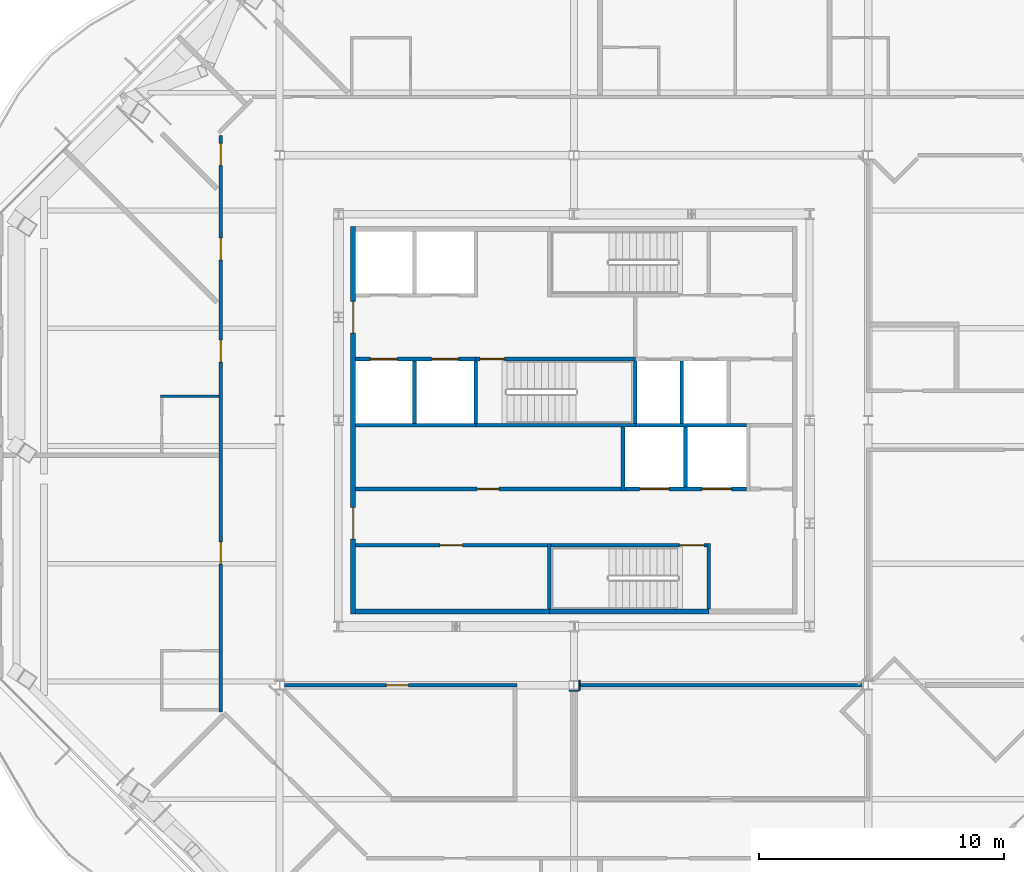
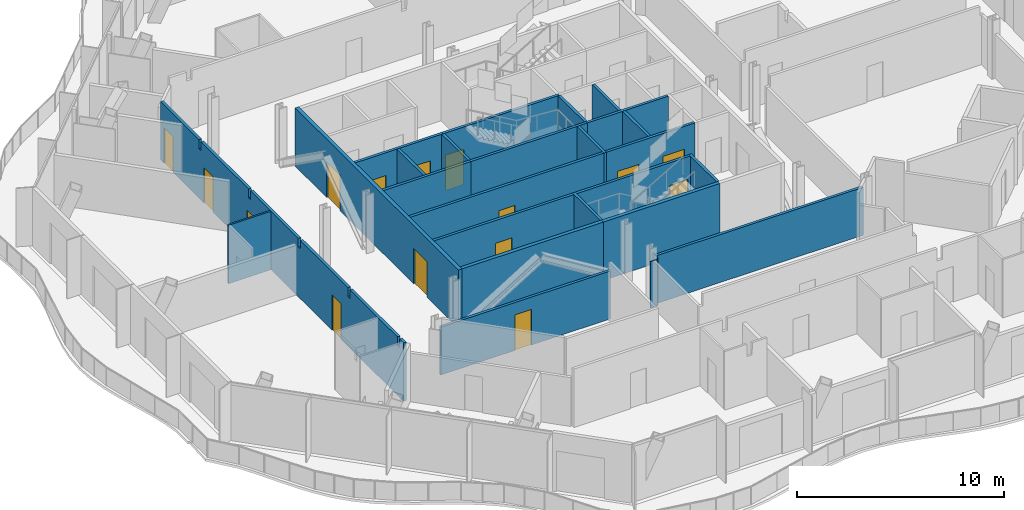
# One storey, part 8 of 19: 26 walls, 15 doors, 15 openings.
"""IFC4 building model written with IfcOpenShell, lengths in metres."""

import ifcopenshell
import ifcopenshell.guid

model = None  # the IFC model being written
_history = None  # IfcOwnerHistory: only IFC2X3 demands one
_inside = {}  # id of a spatial element -> (the spatial element, [elements in it])
_under = {}  # id of a project, library or spatial element -> (it, [spatial elements below it])
_declared = {}  # id of a project -> (the project, [libraries it declares])
_typed = {}  # id of a type object -> (the type object, [elements of that type])
_made_of = {}  # id of a material, layer set ... -> (it, [elements and type objects made of it])


def new_model(schema):
    """Start an empty IFC model of exactly this schema.

    Asked for "IFC4X3", IfcOpenShell would pick the latest addendum, in which some entities
    have other attributes; the version numbers below select the first issue.
    IFC2X3 requires an IfcOwnerHistory on every rooted entity: one is made here for all.
    """
    global model, _history
    if schema == "IFC4X3":
        model = ifcopenshell.file(schema_version=(4, 3, 0, 0))
    else:
        model = ifcopenshell.file(schema=schema)
    _inside.clear()
    _under.clear()
    _declared.clear()
    _typed.clear()
    _made_of.clear()
    _history = None
    if model.schema == "IFC2X3":
        org = make("IfcOrganization", Name="unknown")
        user = make(
            "IfcPersonAndOrganization",
            ThePerson=make("IfcPerson", FamilyName="unknown"),
            TheOrganization=org,
        )
        app = make(
            "IfcApplication",
            ApplicationDeveloper=org,
            Version="unknown",
            ApplicationFullName="unknown",
            ApplicationIdentifier="unknown",
        )
        _history = make(
            "IfcOwnerHistory",
            OwningUser=user,
            OwningApplication=app,
            ChangeAction="ADDED",
            CreationDate=0,
        )
    return model


def make(cls, **values):
    """One entity of the class cls with the attributes given. An attribute that is None is left unset."""
    return model.create_entity(
        cls, **{name: value for name, value in values.items() if value is not None}
    )


def rooted(cls, **values):
    """An entity with a GlobalId (a new one), such as an element, a storey or a relation."""
    return make(cls, GlobalId=ifcopenshell.guid.new(), OwnerHistory=_history, **values)


def si_unit(unit_type, name, prefix=None):
    """IfcSIUnit, for example si_unit("LENGTHUNIT", "METRE", prefix="MILLI")."""
    return make("IfcSIUnit", UnitType=unit_type, Prefix=prefix, Name=name)


def assignment(units):
    """IfcUnitAssignment: the units of a project."""
    return None if units is None else make("IfcUnitAssignment", Units=units)


def point(xyz):
    """IfcCartesianPoint."""
    return None if xyz is None else make("IfcCartesianPoint", Coordinates=xyz)


def direction(xyz):
    """IfcDirection."""
    return None if xyz is None else make("IfcDirection", DirectionRatios=xyz)


def frame(location, z_axis=None, x_axis=None):
    """IfcAxis2Placement3D, a coordinate frame: its origin and axes. An axis left out is left unset."""
    return make(
        "IfcAxis2Placement3D",
        Location=point(location),
        Axis=direction(z_axis),
        RefDirection=direction(x_axis),
    )


def frame_2d(location, x_axis=None):
    """IfcAxis2Placement2D, a coordinate frame in the plane: its origin and x axis."""
    return make(
        "IfcAxis2Placement2D", Location=point(location), RefDirection=direction(x_axis)
    )


def origin():
    """The frame at (0, 0, 0) with its axes left unset."""
    return frame((0.0, 0.0, 0.0))


def place(relative_to, where):
    """IfcLocalPlacement: puts the frame where relative to a parent placement (None: the world)."""
    return make(
        "IfcLocalPlacement", PlacementRelTo=relative_to, RelativePlacement=where
    )


def context(
    kind, dimensions, precision=None, world=None, true_north=None, identifier=None
):
    """IfcGeometricRepresentationContext, for example the 3D "Model" context."""
    return make(
        "IfcGeometricRepresentationContext",
        ContextIdentifier=identifier,
        ContextType=kind,
        CoordinateSpaceDimension=dimensions,
        Precision=precision,
        WorldCoordinateSystem=world,
        TrueNorth=true_north,
    )


def subcontext(parent, identifier, kind, view, scale=None):
    """IfcGeometricRepresentationSubContext, for example "Body" below "Model"."""
    return make(
        "IfcGeometricRepresentationSubContext",
        ContextIdentifier=identifier,
        ContextType=kind,
        ParentContext=parent,
        TargetScale=scale,
        TargetView=view,
    )


def project(units=None, contexts=None):
    """IfcProject with its units and contexts."""
    return rooted(
        "IfcProject",
        Name="project",
        RepresentationContexts=contexts,
        UnitsInContext=assignment(units),
    )


def spatial(cls, under=None, at=None, **own):
    """A site, building, storey or space (cls), placed at a placement, below another one or the project."""
    s = rooted(cls, ObjectPlacement=at, **own)
    if under is not None:
        _under.setdefault(under.id(), (under, []))[1].append(s)
    return s


def polyline(points):
    """IfcPolyline through the points."""
    return make("IfcPolyline", Points=[point(p) for p in points])


def profile(cls, at=None, kind="AREA", **sizes):
    """A parametric profile (cls). Its sizes go by their IFC names, for example OverallWidth=200.0."""
    return make(cls, ProfileType=kind, Position=at, **sizes)


def rectangle(**sizes):
    """IfcRectangleProfileDef."""
    return profile("IfcRectangleProfileDef", **sizes)


def outline(outer, holes=None, kind="AREA"):
    """IfcArbitraryClosedProfileDef: a profile drawn as a closed curve; with holes, ...WithVoids."""
    if holes is None:
        return make("IfcArbitraryClosedProfileDef", ProfileType=kind, OuterCurve=outer)
    return make(
        "IfcArbitraryProfileDefWithVoids",
        ProfileType=kind,
        OuterCurve=outer,
        InnerCurves=holes,
    )


def extrude(swept, where, along, depth):
    """IfcExtrudedAreaSolid: the profile swept, set in the frame where, extruded along a direction by depth."""
    return make(
        "IfcExtrudedAreaSolid",
        SweptArea=swept,
        Position=where,
        ExtrudedDirection=direction(along),
        Depth=depth,
    )


def shape(context_of_items, identifier, shape_type, items):
    """IfcShapeRepresentation: the items that make up one representation, for example the "Body"."""
    return make(
        "IfcShapeRepresentation",
        ContextOfItems=context_of_items,
        RepresentationIdentifier=identifier,
        RepresentationType=shape_type,
        Items=items,
    )


def material(Name=None, Category=None):
    """IfcMaterial."""
    return make("IfcMaterial", Name=Name, Category=Category)


def layer(
    of_material, thickness, ventilated=None, Name=None, Category=None, Priority=None
):
    """IfcMaterialLayer: one layer of a wall or slab, of a material (None: an air gap)."""
    return make(
        "IfcMaterialLayer",
        Material=of_material,
        LayerThickness=thickness,
        IsVentilated=ventilated,
        Name=Name,
        Category=Category,
        Priority=Priority,
    )


def layer_set(layers, Name=None):
    """IfcMaterialLayerSet."""
    return make("IfcMaterialLayerSet", MaterialLayers=layers, LayerSetName=Name)


def made_of(thing, what):
    """Note that an element or type object is made of a material, layer set ...; save() writes the relation."""
    if what is not None:
        _made_of.setdefault(what.id(), (what, []))[1].append(thing)
    return thing


def type_object(cls, material=None, **own):
    """A type object (cls), such as IfcWallType, which elements share."""
    return made_of(rooted(cls, **own), material)


def element(
    cls,
    number,
    at=None,
    inside=None,
    cuts=None,
    type_object=None,
    material=None,
    context=None,
    identifier="Body",
    shape_type=None,
    held_by="IfcProductDefinitionShape",
    body=None,
    shapes=None,
    **own,
):
    """One element of the class cls, such as IfcWall. Its Tag is "e" and its number.

    at: its placement. inside: the storey or other place that contains it. cuts: it is an
    opening in that element (IfcRelVoidsElement). A single representation is given by context,
    identifier, shape_type and body (its items); several are given by shapes. held_by: the class
    of the entity that holds the representations. save() writes the other relations.
    """
    e = rooted(cls, Tag="e%d" % number, ObjectPlacement=at, **own)
    if body is not None:
        shapes = [shape(context, identifier, shape_type, body)]
    if shapes is not None:
        e.Representation = make(held_by, Representations=shapes)
    if inside is not None:
        _inside.setdefault(inside.id(), (inside, []))[1].append(e)
    if cuts is not None:
        rooted(
            "IfcRelVoidsElement", RelatingBuildingElement=cuts, RelatedOpeningElement=e
        )
    if type_object is not None:
        _typed.setdefault(type_object.id(), (type_object, []))[1].append(e)
    return made_of(e, material)


def fill(opening, filler):
    """IfcRelFillsElement: the door or window that sits in an opening."""
    return rooted(
        "IfcRelFillsElement",
        RelatingOpeningElement=opening,
        RelatedBuildingElement=filler,
    )


def aggregate(whole, parts):
    """IfcRelAggregates: a whole, such as a stair, and the parts it consists of."""
    return rooted("IfcRelAggregates", RelatingObject=whole, RelatedObjects=parts)


def save(model, path):
    """Write the relations noted so far, then the file.

    IfcRelAggregates (storeys below a building ...), IfcRelContainedInSpatialStructure (elements
    in a storey), IfcRelDefinesByType, IfcRelAssociatesMaterial and IfcRelDeclares: one each for
    every whole, place, type object, material and project.
    """
    for whole, parts in _under.values():
        aggregate(whole, parts)
    for where, things in _inside.values():
        rooted(
            "IfcRelContainedInSpatialStructure",
            RelatedElements=things,
            RelatingStructure=where,
        )
    for kind, things in _typed.values():
        rooted("IfcRelDefinesByType", RelatedObjects=things, RelatingType=kind)
    for what, things in _made_of.values():
        rooted("IfcRelAssociatesMaterial", RelatedObjects=things, RelatingMaterial=what)
    for by, libraries in _declared.values():
        rooted("IfcRelDeclares", RelatingContext=by, RelatedDefinitions=libraries)
    model.write(path)


model = new_model("IFC4")

# Units and contexts
model_context = context("Model", 3, precision=1e-05, world=origin(), true_north=direction((0.0, 1.0)))
body_context = subcontext(model_context, "Body", "Model", "MODEL_VIEW")
ifc_project = project(units=[si_unit("LENGTHUNIT", "METRE"), si_unit("AREAUNIT", "SQUARE_METRE"), si_unit("VOLUMEUNIT", "CUBIC_METRE"), si_unit("PLANEANGLEUNIT", "RADIAN"), si_unit("MASSUNIT", "GRAM", prefix="KILO")], contexts=[model_context])

# Site, building, storey
site_placement = place(None, origin())
site = spatial("IfcSite", under=ifc_project, at=site_placement, CompositionType="ELEMENT")
building_placement = place(site_placement, origin())
building = spatial("IfcBuilding", under=site, at=building_placement, Name="Cairn Pilgrim Tower", CompositionType="ELEMENT")
storey_placement = place(building_placement, frame((0.0, 0.0, 190.199951171875)))
storey = spatial("IfcBuildingStorey", under=building, at=storey_placement, Name="L48", CompositionType="ELEMENT", Elevation=190.199951171875)

# Wall
ifc_material_1 = material(Name="Concrete C32/40", Category="concrete")
ifc_layer_1 = layer(ifc_material_1, 0.199951171875)
ifc_layer_set_1 = layer_set([ifc_layer_1], Name="CORE OUTER WALL 200 EI 120")
wall_type_1 = type_object("IfcWallType", Name="CORE OUTER WALL 200 EI 120", PredefinedType="SOLIDWALL", material=ifc_layer_set_1)
wall_1_placement = place(storey_placement, frame((-1.699951171875, -5.39990234375, 0.0), z_axis=(0.0, 0.0, 1.0), x_axis=(1.0, 0.0, 0.0)))
element("IfcWall", 1, at=wall_1_placement, inside=storey, type_object=wall_type_1, Name="CW:L48:H01-1", PredefinedType="SOLIDWALL", context=body_context, shape_type="SweptSolid", body=[
    extrude(rectangle(XDim=7.89990234375, YDim=0.199951171875, at=frame_2d((3.949951171875, 0.0))), origin(), (0.0, 0.0, 1.0), 3.449951171875),
])

# Wall, openings, doors
wall_2_placement = place(storey_placement, frame((-1.800048828125, -5.5, 0.0), z_axis=(0.0, 0.0, 1.0), x_axis=(0.0, 1.0, 0.0)))
wall_2 = element("IfcWall", 2, at=wall_2_placement, inside=storey, type_object=wall_type_1, Name="CW:L48:V13", PredefinedType="SOLIDWALL", context=body_context, shape_type="SweptSolid", body=[
    extrude(rectangle(XDim=15.800048828125, YDim=0.199951171875, at=frame_2d((7.89990234375, 0.0))), origin(), (0.0, 0.0, 1.0), 3.449951171875),
])
opening_1_placement = place(wall_2_placement, frame((3.050048828125, 0.0, 0.0)))
opening_1 = element("IfcOpeningElement", 3, at=opening_1_placement, cuts=wall_2, Name="Opening CD-W1", PredefinedType="OPENING", context=body_context, shape_type="SweptSolid", body=[
    extrude(rectangle(XDim=1.300048828125, YDim=2.10009765625, at=frame_2d((0.64990234375, 1.050048828125))), frame((0.0, 0.10986328125, 0.0), z_axis=(0.0, -1.0, 0.0), x_axis=(1.0, 0.0, 0.0)), (0.0, 0.0, 1.0), 0.219970703125),
])
opening_2_placement = place(wall_2_placement, frame((11.449951171875, 0.0, 0.0)))
opening_2 = element("IfcOpeningElement", 4, at=opening_2_placement, cuts=wall_2, Name="Opening CD-W2", PredefinedType="OPENING", context=body_context, shape_type="SweptSolid", body=[
    extrude(rectangle(XDim=1.300048828125, YDim=2.10009765625, at=frame_2d((0.64990234375, 1.050048828125))), frame((0.0, 0.10986328125, 0.0), z_axis=(0.0, -1.0, 0.0), x_axis=(1.0, 0.0, 0.0)), (0.0, 0.0, 1.0), 0.219970703125),
])
ifc_material_2 = material(Name="Painted steel", Category="steel")
door_type_1 = type_object("IfcDoorType", Name="CORE LOBBY DOOR 1300x2100", OperationType="DOUBLE_DOOR_SINGLE_SWING", PredefinedType="DOOR", material=ifc_material_2)
door_1_placement = place(opening_1_placement, origin())
door_1 = element("IfcDoor", 5, at=door_1_placement, inside=storey, type_object=door_type_1, Name="CD-W1", OperationType="DOUBLE_DOOR_SINGLE_SWING", OverallHeight=2.10009765625, OverallWidth=1.300048828125, PredefinedType="DOOR", context=body_context, shape_type="SweptSolid", body=[
    extrude(rectangle(XDim=1.300048828125, YDim=2.10009765625, at=frame_2d((0.64990234375, 1.050048828125))), frame((0.0, 0.02490234375, 0.0), z_axis=(0.0, -1.0, 0.0), x_axis=(1.0, 0.0, 0.0)), (0.0, 0.0, 1.0), 0.050048828125),
])
fill(opening_1, door_1)
door_2_placement = place(opening_2_placement, origin())
door_2 = element("IfcDoor", 6, at=door_2_placement, inside=storey, type_object=door_type_1, Name="CD-W2", OperationType="DOUBLE_DOOR_SINGLE_SWING", OverallHeight=2.10009765625, OverallWidth=1.300048828125, PredefinedType="DOOR", context=body_context, shape_type="SweptSolid", body=[
    extrude(rectangle(XDim=1.300048828125, YDim=2.10009765625, at=frame_2d((0.64990234375, 1.050048828125))), frame((0.0, 0.02490234375, 0.0), z_axis=(0.0, -1.0, 0.0), x_axis=(1.0, 0.0, 0.0)), (0.0, 0.0, 1.0), 0.050048828125),
])
fill(opening_2, door_2)

# Wall, opening, door
ifc_layer_2 = layer(ifc_material_1, 0.14990234375)
ifc_layer_set_2 = layer_set([ifc_layer_2], Name="CORE PARTITION 150 EI 60")
wall_type_2 = type_object("IfcWallType", Name="CORE PARTITION 150 EI 60", PredefinedType="PARTITIONING", material=ifc_layer_set_2)
wall_3_placement = place(storey_placement, frame((-1.699951171875, -2.699951171875, 0.0), z_axis=(0.0, 0.0, 1.0), x_axis=(1.0, 0.0, 0.0)))
wall_3 = element("IfcWall", 7, at=wall_3_placement, inside=storey, type_object=wall_type_2, Name="CW:L48:H02", PredefinedType="PARTITIONING", context=body_context, shape_type="SweptSolid", body=[
    extrude(rectangle(XDim=7.824951171875, YDim=0.14990234375, at=frame_2d((3.91259765625, 0.0))), origin(), (0.0, 0.0, 1.0), 3.449951171875),
])
opening_3_placement = place(wall_3_placement, frame((3.449951171875, 0.0, 0.0)))
opening_3 = element("IfcOpeningElement", 8, at=opening_3_placement, cuts=wall_3, Name="Opening RD-R1W1", PredefinedType="OPENING", context=body_context, shape_type="SweptSolid", body=[
    extrude(rectangle(XDim=0.89990234375, YDim=2.10009765625, at=frame_2d((0.449951171875, 1.050048828125))), frame((0.0, 0.0849609375, 0.0), z_axis=(0.0, -1.0, 0.0), x_axis=(1.0, 0.0, 0.0)), (0.0, 0.0, 1.0), 0.169921875),
])
door_type_2 = type_object("IfcDoorType", Name="SERVICE ROOM DOOR 900x2100", OperationType="SINGLE_SWING_LEFT", PredefinedType="DOOR", material=ifc_material_2)
door_3_placement = place(opening_3_placement, origin())
door_3 = element("IfcDoor", 9, at=door_3_placement, inside=storey, type_object=door_type_2, Name="RD-R1W1", OperationType="SINGLE_SWING_LEFT", OverallHeight=2.10009765625, OverallWidth=0.89990234375, PredefinedType="DOOR", context=body_context, shape_type="SweptSolid", body=[
    extrude(rectangle(XDim=0.89990234375, YDim=2.10009765625, at=frame_2d((0.449951171875, 1.050048828125))), frame((0.0, 0.02490234375, 0.0), z_axis=(0.0, -1.0, 0.0), x_axis=(1.0, 0.0, 0.0)), (0.0, 0.0, 1.0), 0.050048828125),
])
fill(opening_3, door_3)

wall_4_placement = place(storey_placement, frame((-1.699951171875, -0.39990234375, 0.0), z_axis=(0.0, 0.0, 1.0), x_axis=(1.0, 0.0, 0.0)))
wall_4 = element("IfcWall", 10, at=wall_4_placement, inside=storey, type_object=wall_type_2, Name="CW:L48:H04", PredefinedType="PARTITIONING", context=body_context, shape_type="SweptSolid", body=[
    extrude(rectangle(XDim=10.824951171875, YDim=0.14990234375, at=frame_2d((5.41259765625, 0.0))), origin(), (0.0, 0.0, 1.0), 3.449951171875),
])
opening_4_placement = place(wall_4_placement, frame((4.949951171875, 0.0, 0.0)))
opening_4 = element("IfcOpeningElement", 11, at=opening_4_placement, cuts=wall_4, Name="Opening RD-R2W1", PredefinedType="OPENING", context=body_context, shape_type="SweptSolid", body=[
    extrude(rectangle(XDim=0.89990234375, YDim=2.10009765625, at=frame_2d((0.449951171875, 1.050048828125))), frame((0.0, 0.0849609375, 0.0), z_axis=(0.0, -1.0, 0.0), x_axis=(1.0, 0.0, 0.0)), (0.0, 0.0, 1.0), 0.169921875),
])
door_4_placement = place(opening_4_placement, origin())
door_4 = element("IfcDoor", 12, at=door_4_placement, inside=storey, type_object=door_type_2, Name="RD-R2W1", OperationType="SINGLE_SWING_RIGHT", OverallHeight=2.10009765625, OverallWidth=0.89990234375, PredefinedType="DOOR", context=body_context, shape_type="SweptSolid", body=[
    extrude(rectangle(XDim=0.89990234375, YDim=2.10009765625, at=frame_2d((0.449951171875, 1.050048828125))), frame((0.0, 0.02490234375, 0.0), z_axis=(0.0, -1.0, 0.0), x_axis=(1.0, 0.0, 0.0)), (0.0, 0.0, 1.0), 0.050048828125),
])
fill(opening_4, door_4)

# Wall, openings, doors
ifc_layer_3 = layer(ifc_material_1, 0.14990234375)
ifc_layer_set_3 = layer_set([ifc_layer_3], Name="CORE SHAFT WALL 150 EI 120")
wall_type_3 = type_object("IfcWallType", Name="CORE SHAFT WALL 150 EI 120", PredefinedType="SOLIDWALL", material=ifc_layer_set_3)
wall_5_placement = place(storey_placement, frame((9.27490234375, -0.39990234375, 0.0), z_axis=(0.0, 0.0, 1.0), x_axis=(1.0, 0.0, 0.0)))
wall_5 = element("IfcWall", 13, at=wall_5_placement, inside=storey, type_object=wall_type_3, Name="CW:L48:H05", PredefinedType="SOLIDWALL", context=body_context, shape_type="SweptSolid", body=[
    extrude(rectangle(XDim=4.9501953125, YDim=0.14990234375, at=frame_2d((2.47509765625, 0.0))), origin(), (0.0, 0.0, 1.0), 3.449951171875),
])
opening_5_placement = place(wall_5_placement, frame((0.60009765625, 0.0, 0.0)))
opening_5 = element("IfcOpeningElement", 14, at=opening_5_placement, cuts=wall_5, Name="Opening LD-SV1", PredefinedType="OPENING", context=body_context, shape_type="SweptSolid", body=[
    extrude(rectangle(XDim=1.199951171875, YDim=2.10009765625, at=frame_2d((0.60009765625, 1.050048828125))), frame((0.0, 0.0849609375, 0.0), z_axis=(0.0, -1.0, 0.0), x_axis=(1.0, 0.0, 0.0)), (0.0, 0.0, 1.0), 0.169921875),
])
opening_6_placement = place(wall_5_placement, frame((3.14990234375, 0.0, 0.0)))
opening_6 = element("IfcOpeningElement", 15, at=opening_6_placement, cuts=wall_5, Name="Opening LD-SV2", PredefinedType="OPENING", context=body_context, shape_type="SweptSolid", body=[
    extrude(rectangle(XDim=1.199951171875, YDim=2.10009765625, at=frame_2d((0.60009765625, 1.050048828125))), frame((0.0, 0.0849609375, 0.0), z_axis=(0.0, -1.0, 0.0), x_axis=(1.0, 0.0, 0.0)), (0.0, 0.0, 1.0), 0.169921875),
])
ifc_material_3 = material(Name="Stainless steel", Category="steel")
door_type_3 = type_object("IfcDoorType", Name="LIFT LANDING DOOR 1200x2100", OperationType="DOUBLE_DOOR_SLIDING", PredefinedType="DOOR", material=ifc_material_3)
door_5_placement = place(opening_5_placement, origin())
door_5 = element("IfcDoor", 16, at=door_5_placement, inside=storey, type_object=door_type_3, Name="LANDING DOOR SV1", OperationType="DOUBLE_DOOR_SLIDING", OverallHeight=2.10009765625, OverallWidth=1.199951171875, PredefinedType="DOOR", context=body_context, shape_type="SweptSolid", body=[
    extrude(rectangle(XDim=1.199951171875, YDim=2.10009765625, at=frame_2d((0.60009765625, 1.050048828125))), frame((0.0, 0.02490234375, 0.0), z_axis=(0.0, -1.0, 0.0), x_axis=(1.0, 0.0, 0.0)), (0.0, 0.0, 1.0), 0.050048828125),
])
fill(opening_5, door_5)
door_6_placement = place(opening_6_placement, origin())
door_6 = element("IfcDoor", 17, at=door_6_placement, inside=storey, type_object=door_type_3, Name="LANDING DOOR SV2", OperationType="DOUBLE_DOOR_SLIDING", OverallHeight=2.10009765625, OverallWidth=1.199951171875, PredefinedType="DOOR", context=body_context, shape_type="SweptSolid", body=[
    extrude(rectangle(XDim=1.199951171875, YDim=2.10009765625, at=frame_2d((0.60009765625, 1.050048828125))), frame((0.0, 0.02490234375, 0.0), z_axis=(0.0, -1.0, 0.0), x_axis=(1.0, 0.0, 0.0)), (0.0, 0.0, 1.0), 0.050048828125),
])
fill(opening_6, door_6)

# Walls
wall_6_placement = place(storey_placement, frame((-1.699951171875, 2.199951171875, 0.0), z_axis=(0.0, 0.0, 1.0), x_axis=(1.0, 0.0, 0.0)))
element("IfcWall", 18, at=wall_6_placement, inside=storey, type_object=wall_type_3, Name="CW:L48:H07-1", PredefinedType="SOLIDWALL", context=body_context, shape_type="SweptSolid", body=[
    extrude(rectangle(XDim=4.89990234375, YDim=0.14990234375, at=frame_2d((2.449951171875, 0.0))), origin(), (0.0, 0.0, 1.0), 3.449951171875),
])
wall_7_placement = place(storey_placement, frame((9.699951171875, 2.199951171875, 0.0), z_axis=(0.0, 0.0, 1.0), x_axis=(1.0, 0.0, 0.0)))
element("IfcWall", 19, at=wall_7_placement, inside=storey, type_object=wall_type_3, Name="CW:L48:H07-3", PredefinedType="SOLIDWALL", context=body_context, shape_type="SweptSolid", body=[
    extrude(rectangle(XDim=4.525146484375, YDim=0.14990234375, at=frame_2d((2.2626953125, 0.0))), origin(), (0.0, 0.0, 1.0), 3.449951171875),
])

# Wall, openings, doors
wall_8_placement = place(storey_placement, frame((-1.699951171875, 4.89990234375, 0.0), z_axis=(0.0, 0.0, 1.0), x_axis=(1.0, 0.0, 0.0)))
wall_8 = element("IfcWall", 20, at=wall_8_placement, inside=storey, type_object=wall_type_3, Name="CW:L48:H09-1", PredefinedType="SOLIDWALL", context=body_context, shape_type="SweptSolid", body=[
    extrude(rectangle(XDim=4.89990234375, YDim=0.14990234375, at=frame_2d((2.449951171875, 0.0))), origin(), (0.0, 0.0, 1.0), 3.449951171875),
])
opening_7_placement = place(wall_8_placement, frame((0.60009765625, 0.0, 0.0)))
opening_7 = element("IfcOpeningElement", 21, at=opening_7_placement, cuts=wall_8, Name="Opening LD-HR1", PredefinedType="OPENING", context=body_context, shape_type="SweptSolid", body=[
    extrude(rectangle(XDim=1.10009765625, YDim=2.10009765625, at=frame_2d((0.550048828125, 1.050048828125))), frame((0.0, 0.0849609375, 0.0), z_axis=(0.0, -1.0, 0.0), x_axis=(1.0, 0.0, 0.0)), (0.0, 0.0, 1.0), 0.169921875),
])
opening_8_placement = place(wall_8_placement, frame((3.10009765625, 0.0, 0.0)))
opening_8 = element("IfcOpeningElement", 22, at=opening_8_placement, cuts=wall_8, Name="Opening LD-HR2", PredefinedType="OPENING", context=body_context, shape_type="SweptSolid", body=[
    extrude(rectangle(XDim=1.10009765625, YDim=2.10009765625, at=frame_2d((0.550048828125, 1.050048828125))), frame((0.0, 0.0849609375, 0.0), z_axis=(0.0, -1.0, 0.0), x_axis=(1.0, 0.0, 0.0)), (0.0, 0.0, 1.0), 0.169921875),
])
door_type_4 = type_object("IfcDoorType", Name="LIFT LANDING DOOR 1100x2100", OperationType="DOUBLE_DOOR_SLIDING", PredefinedType="DOOR", material=ifc_material_3)
door_7_placement = place(opening_7_placement, origin())
door_7 = element("IfcDoor", 23, at=door_7_placement, inside=storey, type_object=door_type_4, Name="LANDING DOOR HR1", OperationType="DOUBLE_DOOR_SLIDING", OverallHeight=2.10009765625, OverallWidth=1.10009765625, PredefinedType="DOOR", context=body_context, shape_type="SweptSolid", body=[
    extrude(rectangle(XDim=1.10009765625, YDim=2.10009765625, at=frame_2d((0.550048828125, 1.050048828125))), frame((0.0, 0.02490234375, 0.0), z_axis=(0.0, -1.0, 0.0), x_axis=(1.0, 0.0, 0.0)), (0.0, 0.0, 1.0), 0.050048828125),
])
fill(opening_7, door_7)
door_8_placement = place(opening_8_placement, origin())
door_8 = element("IfcDoor", 24, at=door_8_placement, inside=storey, type_object=door_type_4, Name="LANDING DOOR HR2", OperationType="DOUBLE_DOOR_SLIDING", OverallHeight=2.10009765625, OverallWidth=1.10009765625, PredefinedType="DOOR", context=body_context, shape_type="SweptSolid", body=[
    extrude(rectangle(XDim=1.10009765625, YDim=2.10009765625, at=frame_2d((0.550048828125, 1.050048828125))), frame((0.0, 0.02490234375, 0.0), z_axis=(0.0, -1.0, 0.0), x_axis=(1.0, 0.0, 0.0)), (0.0, 0.0, 1.0), 0.050048828125),
])
fill(opening_8, door_8)

# Walls
wall_9_placement = place(storey_placement, frame((0.699951171875, 2.27490234375, 0.0), z_axis=(0.0, 0.0, 1.0), x_axis=(0.0, 1.0, 0.0)))
element("IfcWall", 25, at=wall_9_placement, inside=storey, type_object=wall_type_3, Name="CW:L48:V14", PredefinedType="SOLIDWALL", context=body_context, shape_type="SweptSolid", body=[
    extrude(rectangle(XDim=2.550048828125, YDim=0.14990234375, at=frame_2d((1.27490234375, 0.0))), origin(), (0.0, 0.0, 1.0), 3.449951171875),
])
wall_10_placement = place(storey_placement, frame((9.199951171875, -0.47509765625, 0.0), z_axis=(0.0, 0.0, 1.0), x_axis=(0.0, 1.0, 0.0)))
element("IfcWall", 26, at=wall_10_placement, inside=storey, type_object=wall_type_3, Name="CW:L48:V20", PredefinedType="SOLIDWALL", context=body_context, shape_type="SweptSolid", body=[
    extrude(rectangle(XDim=2.60009765625, YDim=0.14990234375, at=frame_2d((1.300048828125, 0.0))), origin(), (0.0, 0.0, 1.0), 3.449951171875),
])
wall_11_placement = place(storey_placement, frame((11.60009765625, 2.27490234375, 0.0), z_axis=(0.0, 0.0, 1.0), x_axis=(0.0, 1.0, 0.0)))
element("IfcWall", 27, at=wall_11_placement, inside=storey, type_object=wall_type_3, Name="CW:L48:V23", PredefinedType="SOLIDWALL", context=body_context, shape_type="SweptSolid", body=[
    extrude(rectangle(XDim=2.550048828125, YDim=0.14990234375, at=frame_2d((1.27490234375, 0.0))), origin(), (0.0, 0.0, 1.0), 3.449951171875),
])
wall_12_placement = place(storey_placement, frame((11.75, -0.324951171875, 0.0), z_axis=(0.0, 0.0, 1.0), x_axis=(0.0, 1.0, 0.0)))
element("IfcWall", 28, at=wall_12_placement, inside=storey, type_object=wall_type_3, Name="CW:L48:V24", PredefinedType="SOLIDWALL", context=body_context, shape_type="SweptSolid", body=[
    extrude(rectangle(XDim=2.449951171875, YDim=0.14990234375, at=frame_2d((1.22509765625, 0.0))), origin(), (0.0, 0.0, 1.0), 3.449951171875),
])
ifc_material_4 = material(Name="Gypsum partition")
ifc_layer_4 = layer(ifc_material_4, 0.10009765625)
ifc_layer_set_4 = layer_set([ifc_layer_4], Name="PARTITION 100 DRYWALL")
wall_type_4 = type_object("IfcWallType", Name="PARTITION 100 DRYWALL", PredefinedType="PARTITIONING", material=ifc_layer_set_4)
wall_13_placement = place(storey_placement, frame((-9.64990234375, 3.375, 0.0), z_axis=(0.0, 0.0, 1.0), x_axis=(1.0, 0.0, 0.0)))
element("IfcWall", 29, at=wall_13_placement, inside=storey, type_object=wall_type_4, Name="PARTITION W058", PredefinedType="PARTITIONING", context=body_context, shape_type="SweptSolid", body=[
    extrude(rectangle(XDim=2.375, YDim=0.10009765625, at=frame_2d((1.1875, 0.0))), origin(), (0.0, 0.0, 1.0), 3.449951171875),
])

# Wall, openings, doors
ifc_layer_5 = layer(ifc_material_4, 0.14990234375)
ifc_layer_set_5 = layer_set([ifc_layer_5], Name="PARTITION 150 DRYWALL EI 60")
wall_type_5 = type_object("IfcWallType", Name="PARTITION 150 DRYWALL EI 60", PredefinedType="PARTITIONING", material=ifc_layer_set_5)
wall_14_placement = place(storey_placement, frame((-7.199951171875, -9.5, 0.0), z_axis=(0.0, 0.0, 1.0), x_axis=(0.0, 1.0, 0.0)))
wall_14 = element("IfcWall", 30, at=wall_14_placement, inside=storey, type_object=wall_type_5, Name="PARTITION W031", PredefinedType="PARTITIONING", context=body_context, shape_type="SweptSolid", body=[
    extrude(outline(polyline([(0.0, 0.0), (23.512939453125, 0.0), (23.512939453125, 3.449951171875), (19.800048828125, 3.449951171875), (19.798095703125, 2.929931640625), (19.60009765625, 2.929931640625), (19.59814453125, 3.449951171875), (15.0, 3.449951171875), (14.998046875, 2.929931640625), (14.800048828125, 2.929931640625), (14.798095703125, 3.449951171875), (10.2001953125, 3.449951171875), (10.197998046875, 2.929931640625), (10.0, 2.929931640625), (9.998046875, 3.449951171875), (5.400146484375, 3.449951171875), (5.398193359375, 2.929931640625), (5.2001953125, 2.929931640625), (5.197998046875, 3.449951171875), (0.60009765625, 3.449951171875), (0.59814453125, 2.929931640625), (0.400146484375, 2.929931640625), (0.398193359375, 3.449951171875), (0.0, 3.449951171875), (0.0, 0.0)])), frame((0.0, 0.074951171875, 0.0), z_axis=(0.0, -1.0, 0.0), x_axis=(1.0, 0.0, 0.0)), (0.0, 0.0, 1.0), 0.14990234375),
])
opening_9_placement = place(wall_14_placement, frame((22.291015625, 0.0, 0.0)))
opening_9 = element("IfcOpeningElement", 31, at=opening_9_placement, cuts=wall_14, Name="Opening 4813", PredefinedType="OPENING", context=body_context, shape_type="SweptSolid", body=[
    extrude(rectangle(XDim=0.89990234375, YDim=2.10009765625, at=frame_2d((0.449951171875, 1.050048828125))), frame((0.0, 0.0849609375, 0.0), z_axis=(0.0, -1.0, 0.0), x_axis=(1.0, 0.0, 0.0)), (0.0, 0.0, 1.0), 0.169921875),
])
opening_10_placement = place(wall_14_placement, frame((18.426025390625, 0.0, 0.0)))
opening_10 = element("IfcOpeningElement", 32, at=opening_10_placement, cuts=wall_14, Name="Opening 4814", PredefinedType="OPENING", context=body_context, shape_type="SweptSolid", body=[
    extrude(rectangle(XDim=0.89990234375, YDim=2.10009765625, at=frame_2d((0.449951171875, 1.050048828125))), frame((0.0, 0.0849609375, 0.0), z_axis=(0.0, -1.0, 0.0), x_axis=(1.0, 0.0, 0.0)), (0.0, 0.0, 1.0), 0.169921875),
])
opening_11_placement = place(wall_14_placement, frame((14.27001953125, 0.0, 0.0)))
opening_11 = element("IfcOpeningElement", 33, at=opening_11_placement, cuts=wall_14, Name="Opening 4815", PredefinedType="OPENING", context=body_context, shape_type="SweptSolid", body=[
    extrude(rectangle(XDim=0.89990234375, YDim=2.10009765625, at=frame_2d((0.449951171875, 1.050048828125))), frame((0.0, 0.0849609375, 0.0), z_axis=(0.0, -1.0, 0.0), x_axis=(1.0, 0.0, 0.0)), (0.0, 0.0, 1.0), 0.169921875),
])
opening_12_placement = place(wall_14_placement, frame((6.041015625, 0.0, 0.0)))
opening_12 = element("IfcOpeningElement", 34, at=opening_12_placement, cuts=wall_14, Name="Opening 4816", PredefinedType="OPENING", context=body_context, shape_type="SweptSolid", body=[
    extrude(rectangle(XDim=0.89990234375, YDim=2.10009765625, at=frame_2d((0.449951171875, 1.050048828125))), frame((0.0, 0.0849609375, 0.0), z_axis=(0.0, -1.0, 0.0), x_axis=(1.0, 0.0, 0.0)), (0.0, 0.0, 1.0), 0.169921875),
])
ifc_material_5 = material(Name="Timber door leaf", Category="wood")
door_type_5 = type_object("IfcDoorType", Name="ROOM DOOR 900x2100 FD30S", OperationType="NOTDEFINED", PredefinedType="DOOR", material=ifc_material_5)
door_9_placement = place(opening_11_placement, origin())
door_9 = element("IfcDoor", 35, at=door_9_placement, inside=storey, type_object=door_type_5, Name="DOOR 4815", OperationType="SINGLE_SWING_LEFT", OverallHeight=2.10009765625, OverallWidth=0.89990234375, PredefinedType="DOOR", context=body_context, shape_type="SweptSolid", body=[
    extrude(rectangle(XDim=0.89990234375, YDim=2.10009765625, at=frame_2d((0.449951171875, 1.050048828125))), frame((0.0, 0.02490234375, 0.0), z_axis=(0.0, -1.0, 0.0), x_axis=(1.0, 0.0, 0.0)), (0.0, 0.0, 1.0), 0.050048828125),
])
fill(opening_11, door_9)
door_10_placement = place(opening_12_placement, origin())
door_10 = element("IfcDoor", 36, at=door_10_placement, inside=storey, type_object=door_type_5, Name="DOOR 4816", OperationType="SINGLE_SWING_LEFT", OverallHeight=2.10009765625, OverallWidth=0.89990234375, PredefinedType="DOOR", context=body_context, shape_type="SweptSolid", body=[
    extrude(rectangle(XDim=0.89990234375, YDim=2.10009765625, at=frame_2d((0.449951171875, 1.050048828125))), frame((0.0, 0.02490234375, 0.0), z_axis=(0.0, -1.0, 0.0), x_axis=(1.0, 0.0, 0.0)), (0.0, 0.0, 1.0), 0.050048828125),
])
fill(opening_12, door_10)
door_type_6 = type_object("IfcDoorType", Name="SERVICE DOOR 900x2100 FD30S", OperationType="NOTDEFINED", PredefinedType="DOOR", material=ifc_material_5)
door_11_placement = place(opening_9_placement, origin())
door_11 = element("IfcDoor", 37, at=door_11_placement, inside=storey, type_object=door_type_6, Name="DOOR 4813", OperationType="SINGLE_SWING_LEFT", OverallHeight=2.10009765625, OverallWidth=0.89990234375, PredefinedType="DOOR", context=body_context, shape_type="SweptSolid", body=[
    extrude(rectangle(XDim=0.89990234375, YDim=2.10009765625, at=frame_2d((0.449951171875, 1.050048828125))), frame((0.0, 0.02490234375, 0.0), z_axis=(0.0, -1.0, 0.0), x_axis=(1.0, 0.0, 0.0)), (0.0, 0.0, 1.0), 0.050048828125),
])
fill(opening_9, door_11)
door_12_placement = place(opening_10_placement, origin())
door_12 = element("IfcDoor", 38, at=door_12_placement, inside=storey, type_object=door_type_6, Name="DOOR 4814", OperationType="SINGLE_SWING_LEFT", OverallHeight=2.10009765625, OverallWidth=0.89990234375, PredefinedType="DOOR", context=body_context, shape_type="SweptSolid", body=[
    extrude(rectangle(XDim=0.89990234375, YDim=2.10009765625, at=frame_2d((0.449951171875, 1.050048828125))), frame((0.0, 0.02490234375, 0.0), z_axis=(0.0, -1.0, 0.0), x_axis=(1.0, 0.0, 0.0)), (0.0, 0.0, 1.0), 0.050048828125),
])
fill(opening_10, door_12)

# Wall, opening, door
wall_15_placement = place(storey_placement, frame((-4.6005859375, -8.39990234375, 0.0), z_axis=(0.0, 0.0, 1.0), x_axis=(1.0, 0.0, 0.0)))
wall_15 = element("IfcWall", 39, at=wall_15_placement, inside=storey, type_object=wall_type_5, Name="PARTITION W036", PredefinedType="PARTITIONING", context=body_context, shape_type="SweptSolid", body=[
    extrude(rectangle(XDim=9.4755859375, YDim=0.14990234375, at=frame_2d((4.73779296875, 0.0))), origin(), (0.0, 0.0, 1.0), 2.830078125),
])
opening_13_placement = place(wall_15_placement, frame((4.150390625, 0.0, 0.0)))
opening_13 = element("IfcOpeningElement", 40, at=opening_13_placement, cuts=wall_15, Name="Opening 4825", PredefinedType="OPENING", context=body_context, shape_type="SweptSolid", body=[
    extrude(rectangle(XDim=0.89990234375, YDim=2.10009765625, at=frame_2d((0.449951171875, 1.050048828125))), frame((0.0, 0.0849609375, 0.0), z_axis=(0.0, -1.0, 0.0), x_axis=(1.0, 0.0, 0.0)), (0.0, 0.0, 1.0), 0.169921875),
])
door_13_placement = place(opening_13_placement, frame((0.89990234375, 0.0, 0.0), z_axis=(0.0, 0.0, 1.0), x_axis=(-1.0, 0.0, 0.0)))
door_13 = element("IfcDoor", 41, at=door_13_placement, inside=storey, type_object=door_type_6, Name="DOOR 4825", OperationType="SINGLE_SWING_RIGHT", OverallHeight=2.10009765625, OverallWidth=0.89990234375, PredefinedType="DOOR", context=body_context, shape_type="SweptSolid", body=[
    extrude(rectangle(XDim=0.89990234375, YDim=2.10009765625, at=frame_2d((0.449951171875, 1.050048828125))), frame((0.0, 0.02490234375, 0.0), z_axis=(0.0, -1.0, 0.0), x_axis=(1.0, 0.0, 0.0)), (0.0, 0.0, 1.0), 0.050048828125),
])
fill(opening_13, door_13)

# Walls
wall_16_placement = place(storey_placement, frame((7.3994140625, -8.39990234375, 0.0), z_axis=(0.0, 0.0, 1.0), x_axis=(1.0, 0.0, 0.0)))
element("IfcWall", 42, at=wall_16_placement, inside=storey, type_object=wall_type_5, Name="PARTITION W037", PredefinedType="PARTITIONING", context=body_context, shape_type="SweptSolid", body=[
    extrude(rectangle(XDim=11.60107421875, YDim=0.14990234375, at=frame_2d((5.800537109375, 0.0))), origin(), (0.0, 0.0, 1.0), 2.830078125),
])
ifc_layer_6 = layer(ifc_material_4, 0.050048828125)
ifc_layer_set_6 = layer_set([ifc_layer_6], Name="PARTITION 50 DRYWALL EI 60")
wall_type_6 = type_object("IfcWallType", Name="PARTITION 50 DRYWALL EI 60", PredefinedType="PARTITIONING", material=ifc_layer_set_6)
wall_17_placement = place(storey_placement, frame((7.424560546875, -8.596435546875, 0.0), z_axis=(0.0, 0.0, 1.0), x_axis=(0.0, 1.0, 0.0)))
element("IfcWall", 43, at=wall_17_placement, inside=storey, type_object=wall_type_6, Name="COLUMN CASING WC07", PredefinedType="PARTITIONING", context=body_context, shape_type="SweptSolid", body=[
    extrude(rectangle(XDim=0.392822265625, YDim=0.050048828125, at=frame_2d((0.1962890625, 0.0))), origin(), (0.0, 0.0, 1.0), 2.830078125),
])
wall_18_placement = place(storey_placement, frame((7.00048828125, -8.62158203125, 0.0), z_axis=(0.0, 0.0, 1.0), x_axis=(1.0, 0.0, 0.0)))
element("IfcWall", 44, at=wall_18_placement, inside=storey, type_object=wall_type_6, Name="COLUMN CASING WC11", PredefinedType="PARTITIONING", context=body_context, shape_type="SweptSolid", body=[
    extrude(rectangle(XDim=0.39892578125, YDim=0.050048828125, at=frame_2d((0.199462890625, 0.0))), origin(), (0.0, 0.0, 1.0), 2.72998046875),
])

# Wall, opening, door
ifc_material_6 = material(Name="Concrete C35/45", Category="concrete")
ifc_layer_7 = layer(ifc_material_6, 0.14990234375)
ifc_layer_set_7 = layer_set([ifc_layer_7], Name="STAIR SHAFT WALL 150 EI 120")
wall_type_7 = type_object("IfcWallType", Name="STAIR SHAFT WALL 150 EI 120", PredefinedType="SOLIDWALL", material=ifc_layer_set_7)
wall_19_placement = place(storey_placement, frame((6.27490234375, -2.699951171875, 0.0), z_axis=(0.0, 0.0, 1.0), x_axis=(1.0, 0.0, 0.0)))
wall_19 = element("IfcWall", 45, at=wall_19_placement, inside=storey, type_object=wall_type_7, Name="CW:L48:H03", PredefinedType="SOLIDWALL", context=body_context, shape_type="SweptSolid", body=[
    extrude(rectangle(XDim=6.35009765625, YDim=0.14990234375, at=frame_2d((3.175048828125, 0.0))), origin(), (0.0, 0.0, 1.0), 3.449951171875),
])
opening_14_placement = place(wall_19_placement, frame((5.22509765625, 0.0, 0.0)))
opening_14 = element("IfcOpeningElement", 46, at=opening_14_placement, cuts=wall_19, Name="Opening SD-A", PredefinedType="OPENING", context=body_context, shape_type="SweptSolid", body=[
    extrude(rectangle(XDim=1.0, YDim=2.10009765625, at=frame_2d((0.5, 1.050048828125))), frame((0.0, 0.0849609375, 0.0), z_axis=(0.0, -1.0, 0.0), x_axis=(1.0, 0.0, 0.0)), (0.0, 0.0, 1.0), 0.169921875),
])
door_type_7 = type_object("IfcDoorType", Name="STAIR DOOR FD60S 1000x2100", OperationType="SINGLE_SWING_LEFT", PredefinedType="DOOR", material=ifc_material_2)
door_14_placement = place(opening_14_placement, origin())
door_14 = element("IfcDoor", 47, at=door_14_placement, inside=storey, type_object=door_type_7, Name="SD-A", OperationType="SINGLE_SWING_LEFT", OverallHeight=2.10009765625, OverallWidth=1.0, PredefinedType="DOOR", context=body_context, shape_type="SweptSolid", body=[
    extrude(rectangle(XDim=1.0, YDim=2.10009765625, at=frame_2d((0.5, 1.050048828125))), frame((0.0, 0.02490234375, 0.0), z_axis=(0.0, -1.0, 0.0), x_axis=(1.0, 0.0, 0.0)), (0.0, 0.0, 1.0), 0.050048828125),
])
fill(opening_14, door_14)

# Wall
wall_20_placement = place(storey_placement, frame((3.199951171875, 2.199951171875, 0.0), z_axis=(0.0, 0.0, 1.0), x_axis=(1.0, 0.0, 0.0)))
element("IfcWall", 48, at=wall_20_placement, inside=storey, type_object=wall_type_7, Name="CW:L48:H07-2", PredefinedType="SOLIDWALL", context=body_context, shape_type="SweptSolid", body=[
    extrude(rectangle(XDim=6.5, YDim=0.14990234375, at=frame_2d((3.25, 0.0))), origin(), (0.0, 0.0, 1.0), 3.449951171875),
])

# Wall, opening, door
wall_21_placement = place(storey_placement, frame((3.199951171875, 4.89990234375, 0.0), z_axis=(0.0, 0.0, 1.0), x_axis=(1.0, 0.0, 0.0)))
wall_21 = element("IfcWall", 49, at=wall_21_placement, inside=storey, type_object=wall_type_7, Name="CW:L48:H09-2", PredefinedType="SOLIDWALL", context=body_context, shape_type="SweptSolid", body=[
    extrude(rectangle(XDim=6.5, YDim=0.14990234375, at=frame_2d((3.25, 0.0))), origin(), (0.0, 0.0, 1.0), 3.449951171875),
])
opening_15_placement = place(wall_21_placement, frame((0.175048828125, 0.0, 0.0)))
opening_15 = element("IfcOpeningElement", 50, at=opening_15_placement, cuts=wall_21, Name="Opening SD-B", PredefinedType="OPENING", context=body_context, shape_type="SweptSolid", body=[
    extrude(rectangle(XDim=1.0, YDim=2.10009765625, at=frame_2d((0.5, 1.050048828125))), frame((0.0, 0.0849609375, 0.0), z_axis=(0.0, -1.0, 0.0), x_axis=(1.0, 0.0, 0.0)), (0.0, 0.0, 1.0), 0.169921875),
])
door_15_placement = place(opening_15_placement, origin())
door_15 = element("IfcDoor", 51, at=door_15_placement, inside=storey, type_object=door_type_7, Name="SD-B", OperationType="SINGLE_SWING_RIGHT", OverallHeight=2.10009765625, OverallWidth=1.0, PredefinedType="DOOR", context=body_context, shape_type="SweptSolid", body=[
    extrude(rectangle(XDim=1.0, YDim=2.10009765625, at=frame_2d((0.5, 1.050048828125))), frame((0.0, 0.02490234375, 0.0), z_axis=(0.0, -1.0, 0.0), x_axis=(1.0, 0.0, 0.0)), (0.0, 0.0, 1.0), 0.050048828125),
])
fill(opening_15, door_15)

# Walls
wall_22_placement = place(storey_placement, frame((3.199951171875, 2.27490234375, 0.0), z_axis=(0.0, 0.0, 1.0), x_axis=(0.0, 1.0, 0.0)))
element("IfcWall", 52, at=wall_22_placement, inside=storey, type_object=wall_type_7, Name="CW:L48:V16", PredefinedType="SOLIDWALL", context=body_context, shape_type="SweptSolid", body=[
    extrude(rectangle(XDim=2.550048828125, YDim=0.14990234375, at=frame_2d((1.27490234375, 0.0))), origin(), (0.0, 0.0, 1.0), 3.449951171875),
])
wall_23_placement = place(storey_placement, frame((6.199951171875, -5.300048828125, 0.0), z_axis=(0.0, 0.0, 1.0), x_axis=(0.0, 1.0, 0.0)))
element("IfcWall", 53, at=wall_23_placement, inside=storey, type_object=wall_type_7, Name="CW:L48:V18", PredefinedType="SOLIDWALL", context=body_context, shape_type="SweptSolid", body=[
    extrude(rectangle(XDim=2.675048828125, YDim=0.14990234375, at=frame_2d((1.33740234375, 0.0))), origin(), (0.0, 0.0, 1.0), 3.449951171875),
])
wall_24_placement = place(storey_placement, frame((9.699951171875, 2.27490234375, 0.0), z_axis=(0.0, 0.0, 1.0), x_axis=(0.0, 1.0, 0.0)))
element("IfcWall", 54, at=wall_24_placement, inside=storey, type_object=wall_type_7, Name="CW:L48:V21", PredefinedType="SOLIDWALL", context=body_context, shape_type="SweptSolid", body=[
    extrude(rectangle(XDim=2.550048828125, YDim=0.14990234375, at=frame_2d((1.27490234375, 0.0))), origin(), (0.0, 0.0, 1.0), 3.449951171875),
])
wall_25_placement = place(storey_placement, frame((12.699951171875, -5.300048828125, 0.0), z_axis=(0.0, 0.0, 1.0), x_axis=(0.0, 1.0, 0.0)))
element("IfcWall", 55, at=wall_25_placement, inside=storey, type_object=wall_type_7, Name="CW:L48:V25", PredefinedType="SOLIDWALL", context=body_context, shape_type="SweptSolid", body=[
    extrude(rectangle(XDim=2.675048828125, YDim=0.14990234375, at=frame_2d((1.33740234375, 0.0))), origin(), (0.0, 0.0, 1.0), 3.449951171875),
])
ifc_layer_8 = layer(ifc_material_6, 0.199951171875)
ifc_layer_set_8 = layer_set([ifc_layer_8], Name="STAIR SHAFT WALL 200 EI 120")
wall_type_8 = type_object("IfcWallType", Name="STAIR SHAFT WALL 200 EI 120", PredefinedType="SOLIDWALL", material=ifc_layer_set_8)
wall_26_placement = place(storey_placement, frame((6.199951171875, -5.39990234375, 0.0), z_axis=(0.0, 0.0, 1.0), x_axis=(1.0, 0.0, 0.0)))
element("IfcWall", 56, at=wall_26_placement, inside=storey, type_object=wall_type_8, Name="CW:L48:H01-2", PredefinedType="SOLIDWALL", context=body_context, shape_type="SweptSolid", body=[
    extrude(rectangle(XDim=6.5, YDim=0.199951171875, at=frame_2d((3.25, 0.0))), origin(), (0.0, 0.0, 1.0), 3.449951171875),
])

save(model, "model.ifc")
